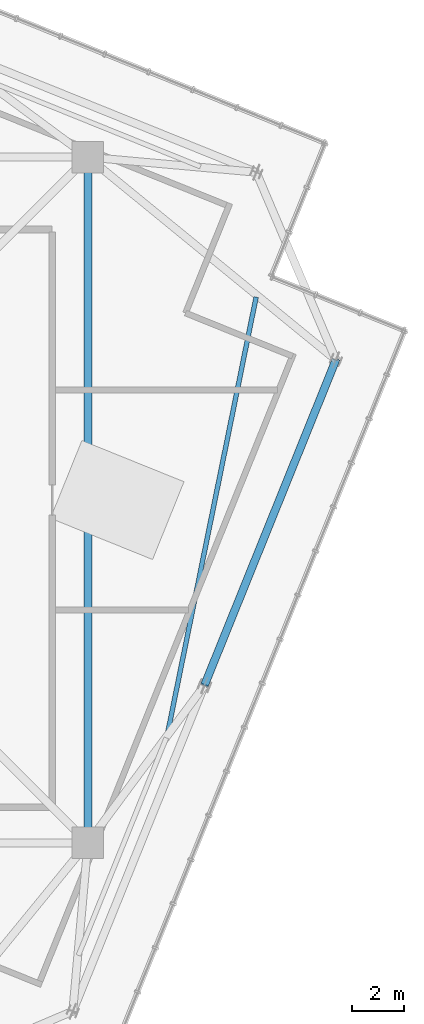
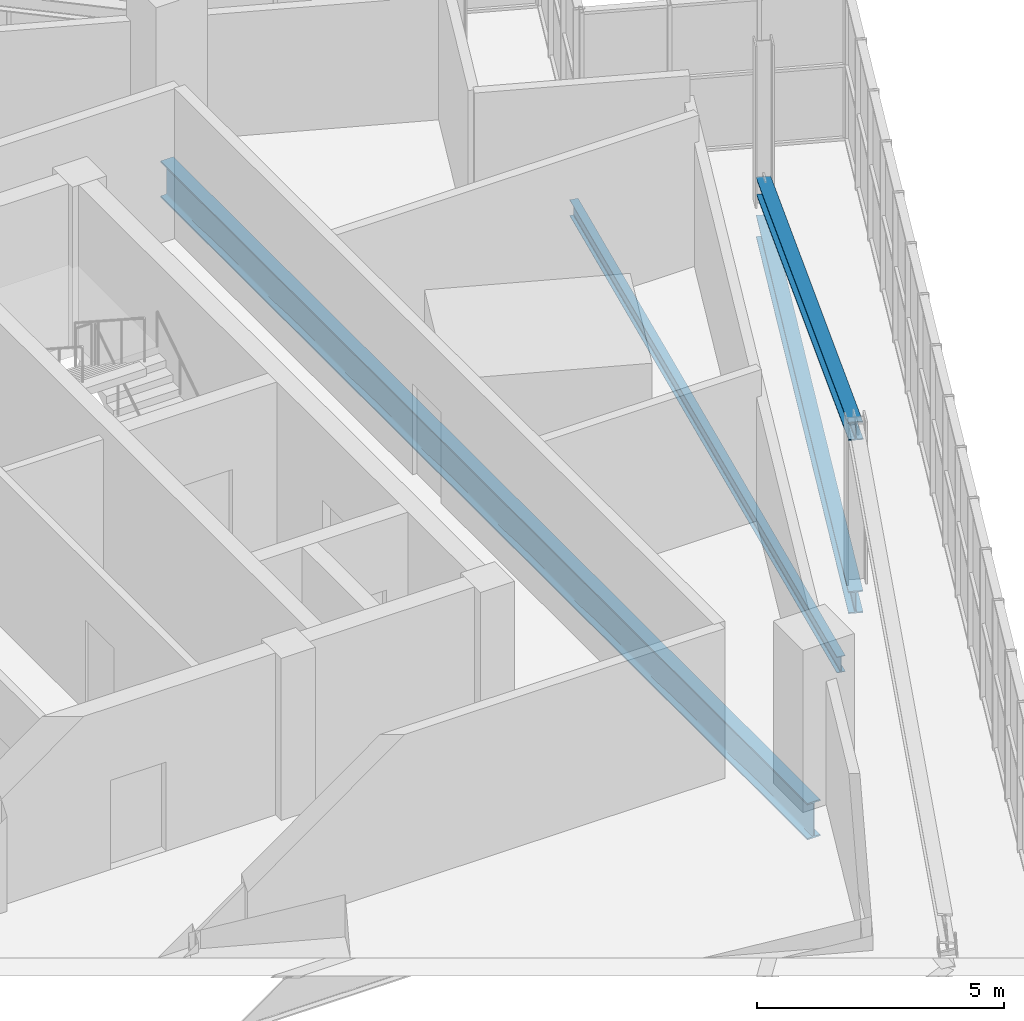
# One storey, part 10 of 26: 3 beams, 1 member.
"""IFC4 building model written with IfcOpenShell, lengths in metres."""

from ifc_helpers import new_model, si_unit, direction, frame, origin, origin_2d, place, context, subcontext, project, spatial, i_section, extrude, source, transform, mapped, material, material_profile, profile_set, type_object, element, save


model = new_model("IFC4")

# Units and contexts
model_context = context("Model", 3, precision=1e-05, world=origin(), true_north=direction((0.0, 1.0)))
body_context = subcontext(model_context, "Body", "Model", "MODEL_VIEW")
ifc_project = project(units=[si_unit("LENGTHUNIT", "METRE"), si_unit("AREAUNIT", "SQUARE_METRE"), si_unit("VOLUMEUNIT", "CUBIC_METRE"), si_unit("PLANEANGLEUNIT", "RADIAN"), si_unit("MASSUNIT", "GRAM", prefix="KILO"), si_unit("THERMODYNAMICTEMPERATUREUNIT", "KELVIN")], contexts=[model_context])

# Site, building, storey
site_placement = place(None, origin())
site = spatial("IfcSite", under=ifc_project, at=site_placement, CompositionType="ELEMENT")
building_placement = place(site_placement, origin())
building = spatial("IfcBuilding", under=site, at=building_placement, Name="Kosmvard Interchange Tower", CompositionType="ELEMENT")
storey_placement = place(building_placement, frame((0.0, 0.0, 337.60009765625)))
storey = spatial("IfcBuildingStorey", under=building, at=storey_placement, Name="L83", CompositionType="ELEMENT", Elevation=337.60009765625)

# Beam
ifc_material = material(Name="Steel S355", Category="steel")
ifc_material_profile_1 = material_profile(ifc_material, i_section(OverallWidth=0.300048828125, OverallDepth=0.89990234375, WebThickness=0.0185546875, FlangeThickness=0.034912109375, FilletRadius=0.030029296875, at=origin_2d()), Name="HEB 900")
ifc_profile_set_1 = profile_set([ifc_material_profile_1], Name="Steel S355")
beam_type_1 = type_object("IfcBeamType", Name="Mega-Column Ring Girder HEB 900 S355", PredefinedType="BEAM", material=ifc_profile_set_1)
shared_shape_1 = source(origin(), body_context, "Body", "SweptSolid", [
    extrude(i_section(OverallWidth=0.300048828125, OverallDepth=0.89990234375, WebThickness=0.0185546875, FlangeThickness=0.034912109375, FilletRadius=0.030029296875, at=origin_2d()), origin(), (0.0, 0.0, 1.0), 26.162109375),
])
beam_1_placement = place(storey_placement, frame((13.0810546875, -13.0810546875, -0.75), z_axis=(0.0, 1.0, 0.0), x_axis=(-1.0, 0.0, 0.0)))
element("IfcBeam", 1, at=beam_1_placement, inside=storey, type_object=beam_type_1, Name="L83 Mega-Column Ring Girder 2", PredefinedType="BEAM", context=body_context, shape_type="MappedRepresentation", body=[
    mapped(shared_shape_1, transform((0.0, 0.0, 0.0), scale=1.0)),
])

# Member
ifc_material_profile_2 = material_profile(ifc_material, i_section(OverallWidth=0.300048828125, OverallDepth=0.39990234375, WebThickness=0.013427734375, FlangeThickness=0.02392578125, FilletRadius=0.027099609375, at=origin_2d()), Name="HEB 400")
ifc_profile_set_2 = profile_set([ifc_material_profile_2], Name="Steel S355")
member_type = type_object("IfcMemberType", Name="Lantern Crown Diagrid Brace HEB 400 S355", PredefinedType="BRACE", material=ifc_profile_set_2)
shared_shape_2 = source(origin(), body_context, "Body", "SweptSolid", [
    extrude(i_section(OverallWidth=0.300048828125, OverallDepth=0.39990234375, WebThickness=0.013427734375, FlangeThickness=0.02392578125, FilletRadius=0.027099609375, at=origin_2d()), origin(), (0.0, 0.0, 1.0), 13.783935546875),
])
member_placement = place(storey_placement, frame((22.54345703125, 5.34423828125, 0.419921875), z_axis=(-0.364177999122, -0.901367558742, 0.234330768366), x_axis=(0.927183187789, -0.374608243744, 0.0)))
element("IfcMember", 2, at=member_placement, inside=storey, type_object=member_type, Name="L83 Crown Lantern Diagrid Brace S2", PredefinedType="BRACE", context=body_context, shape_type="MappedRepresentation", body=[
    mapped(shared_shape_2, transform((0.0, 0.0, 0.0), scale=1.0)),
])

# Beams
ifc_material_profile_3 = material_profile(ifc_material, i_section(OverallWidth=0.300048828125, OverallDepth=0.550048828125, WebThickness=0.014892578125, FlangeThickness=0.029052734375, FilletRadius=0.027099609375, at=origin_2d()), Name="HEB 550")
ifc_profile_set_3 = profile_set([ifc_material_profile_3], Name="Steel S355")
beam_type_2 = type_object("IfcBeamType", Name="Crown Ring Cap Girder HEB 550 S355", PredefinedType="BEAM", material=ifc_profile_set_3)
shared_shape_3 = source(origin(), body_context, "Body", "SweptSolid", [
    extrude(i_section(OverallWidth=0.300048828125, OverallDepth=0.550048828125, WebThickness=0.014892578125, FlangeThickness=0.029052734375, FilletRadius=0.027099609375, at=origin_2d()), origin(), (0.0, 0.0, 1.0), 13.400146484375),
])
beam_2_placement = place(storey_placement, frame((17.523681640625, -7.080078125, -0.5751953125), z_axis=(0.374608243744, 0.927183187789, 0.0), x_axis=(-0.927183187789, 0.374608243744, 0.0)))
element("IfcBeam", 3, at=beam_2_placement, inside=storey, type_object=beam_type_2, Name="BM-L83-PR02", PredefinedType="BEAM", context=body_context, shape_type="MappedRepresentation", body=[
    mapped(shared_shape_3, transform((0.0, 0.0, 0.0), scale=1.0)),
])
ifc_material_profile_4 = material_profile(ifc_material, i_section(OverallWidth=0.179931640625, OverallDepth=0.39990234375, WebThickness=0.008544921875, FlangeThickness=0.013427734375, FilletRadius=0.02099609375, at=origin_2d()), Name="IPE 400")
ifc_profile_set_4 = profile_set([ifc_material_profile_4], Name="Steel S355")
beam_type_3 = type_object("IfcBeamType", Name="Upper-Zone Floor Joist IPE 400 S355", PredefinedType="JOIST", material=ifc_profile_set_4)
shared_shape_4 = source(origin(), body_context, "Body", "SweptSolid", [
    extrude(i_section(OverallWidth=0.179931640625, OverallDepth=0.39990234375, WebThickness=0.008544921875, FlangeThickness=0.013427734375, FilletRadius=0.02099609375, at=origin_2d()), origin(), (0.0, 0.0, 1.0), 17.0029296875),
])
beam_3_placement = place(storey_placement, frame((16.117919921875, -8.921875, -0.5), z_axis=(0.198882162837, 0.98002341059, 0.0), x_axis=(-0.98002341059, 0.198882162837, 0.0)))
element("IfcBeam", 4, at=beam_3_placement, inside=storey, type_object=beam_type_3, Name="BM-L83-FJ02", PredefinedType="JOIST", context=body_context, shape_type="MappedRepresentation", body=[
    mapped(shared_shape_4, transform((0.0, 0.0, 0.0), scale=1.0)),
])

save(model, "model.ifc")
